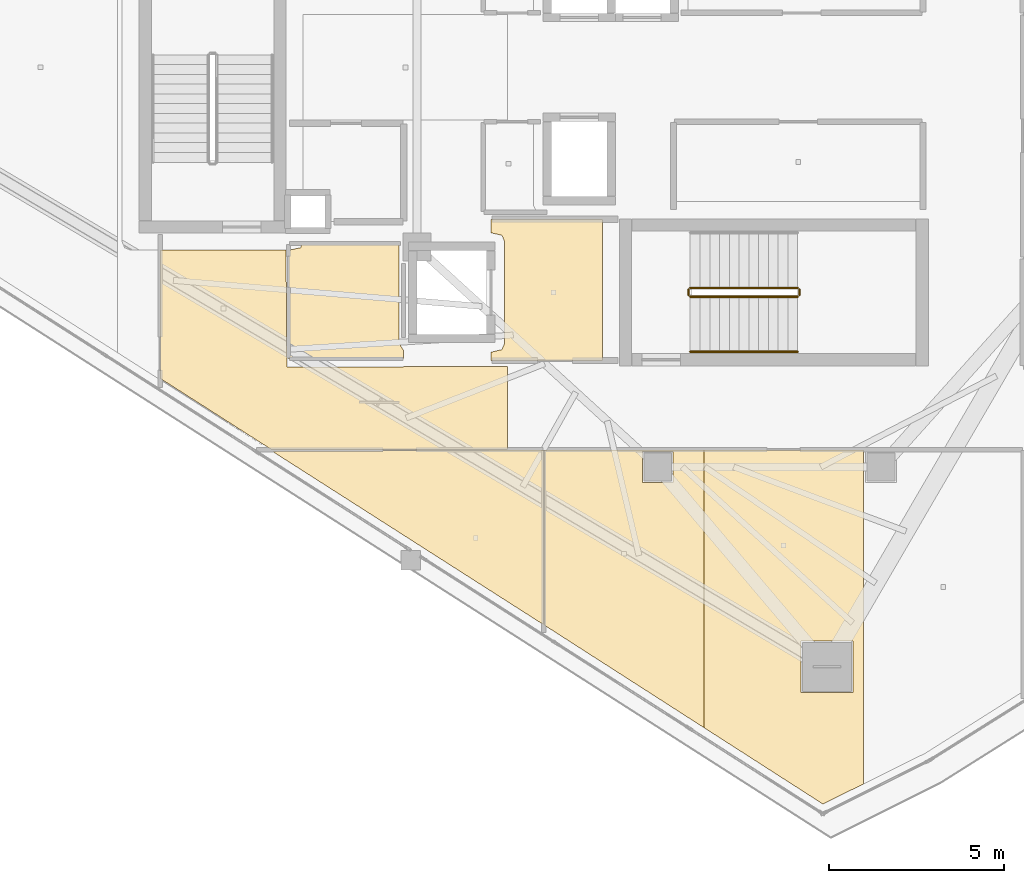
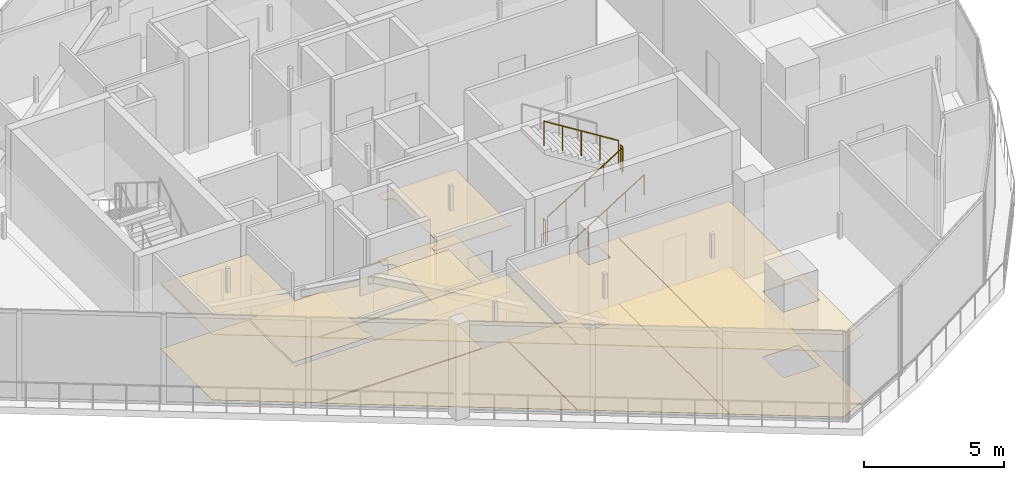
# One storey, part 21 of 25: 11 coverings, 5 railings.
"""IFC4 building model written with IfcOpenShell, lengths in metres."""

import ifcopenshell
import ifcopenshell.guid

model = None  # the IFC model being written
_history = None  # IfcOwnerHistory: only IFC2X3 demands one
_inside = {}  # id of a spatial element -> (the spatial element, [elements in it])
_under = {}  # id of a project, library or spatial element -> (it, [spatial elements below it])
_declared = {}  # id of a project -> (the project, [libraries it declares])
_typed = {}  # id of a type object -> (the type object, [elements of that type])
_made_of = {}  # id of a material, layer set ... -> (it, [elements and type objects made of it])


def new_model(schema):
    """Start an empty IFC model of exactly this schema.

    Asked for "IFC4X3", IfcOpenShell would pick the latest addendum, in which some entities
    have other attributes; the version numbers below select the first issue.
    IFC2X3 requires an IfcOwnerHistory on every rooted entity: one is made here for all.
    """
    global model, _history
    if schema == "IFC4X3":
        model = ifcopenshell.file(schema_version=(4, 3, 0, 0))
    else:
        model = ifcopenshell.file(schema=schema)
    _inside.clear()
    _under.clear()
    _declared.clear()
    _typed.clear()
    _made_of.clear()
    _history = None
    if model.schema == "IFC2X3":
        org = make("IfcOrganization", Name="unknown")
        user = make(
            "IfcPersonAndOrganization",
            ThePerson=make("IfcPerson", FamilyName="unknown"),
            TheOrganization=org,
        )
        app = make(
            "IfcApplication",
            ApplicationDeveloper=org,
            Version="unknown",
            ApplicationFullName="unknown",
            ApplicationIdentifier="unknown",
        )
        _history = make(
            "IfcOwnerHistory",
            OwningUser=user,
            OwningApplication=app,
            ChangeAction="ADDED",
            CreationDate=0,
        )
    return model


def make(cls, **values):
    """One entity of the class cls with the attributes given. An attribute that is None is left unset."""
    return model.create_entity(
        cls, **{name: value for name, value in values.items() if value is not None}
    )


def rooted(cls, **values):
    """An entity with a GlobalId (a new one), such as an element, a storey or a relation."""
    return make(cls, GlobalId=ifcopenshell.guid.new(), OwnerHistory=_history, **values)


def si_unit(unit_type, name, prefix=None):
    """IfcSIUnit, for example si_unit("LENGTHUNIT", "METRE", prefix="MILLI")."""
    return make("IfcSIUnit", UnitType=unit_type, Prefix=prefix, Name=name)


def assignment(units):
    """IfcUnitAssignment: the units of a project."""
    return None if units is None else make("IfcUnitAssignment", Units=units)


def point(xyz):
    """IfcCartesianPoint."""
    return None if xyz is None else make("IfcCartesianPoint", Coordinates=xyz)


def direction(xyz):
    """IfcDirection."""
    return None if xyz is None else make("IfcDirection", DirectionRatios=xyz)


def frame(location, z_axis=None, x_axis=None):
    """IfcAxis2Placement3D, a coordinate frame: its origin and axes. An axis left out is left unset."""
    return make(
        "IfcAxis2Placement3D",
        Location=point(location),
        Axis=direction(z_axis),
        RefDirection=direction(x_axis),
    )


def frame_2d(location, x_axis=None):
    """IfcAxis2Placement2D, a coordinate frame in the plane: its origin and x axis."""
    return make(
        "IfcAxis2Placement2D", Location=point(location), RefDirection=direction(x_axis)
    )


def origin():
    """The frame at (0, 0, 0) with its axes left unset."""
    return frame((0.0, 0.0, 0.0))


def origin_2d():
    """The frame at (0, 0) in the plane with its x axis left unset."""
    return frame_2d((0.0, 0.0))


def place(relative_to, where):
    """IfcLocalPlacement: puts the frame where relative to a parent placement (None: the world)."""
    return make(
        "IfcLocalPlacement", PlacementRelTo=relative_to, RelativePlacement=where
    )


def context(
    kind, dimensions, precision=None, world=None, true_north=None, identifier=None
):
    """IfcGeometricRepresentationContext, for example the 3D "Model" context."""
    return make(
        "IfcGeometricRepresentationContext",
        ContextIdentifier=identifier,
        ContextType=kind,
        CoordinateSpaceDimension=dimensions,
        Precision=precision,
        WorldCoordinateSystem=world,
        TrueNorth=true_north,
    )


def subcontext(parent, identifier, kind, view, scale=None):
    """IfcGeometricRepresentationSubContext, for example "Body" below "Model"."""
    return make(
        "IfcGeometricRepresentationSubContext",
        ContextIdentifier=identifier,
        ContextType=kind,
        ParentContext=parent,
        TargetScale=scale,
        TargetView=view,
    )


def project(units=None, contexts=None):
    """IfcProject with its units and contexts."""
    return rooted(
        "IfcProject",
        Name="project",
        RepresentationContexts=contexts,
        UnitsInContext=assignment(units),
    )


def spatial(cls, under=None, at=None, **own):
    """A site, building, storey or space (cls), placed at a placement, below another one or the project."""
    s = rooted(cls, ObjectPlacement=at, **own)
    if under is not None:
        _under.setdefault(under.id(), (under, []))[1].append(s)
    return s


def polyline(points):
    """IfcPolyline through the points."""
    return make("IfcPolyline", Points=[point(p) for p in points])


def profile(cls, at=None, kind="AREA", **sizes):
    """A parametric profile (cls). Its sizes go by their IFC names, for example OverallWidth=200.0."""
    return make(cls, ProfileType=kind, Position=at, **sizes)


def circle(**sizes):
    """IfcCircleProfileDef."""
    return profile("IfcCircleProfileDef", **sizes)


def outline(outer, holes=None, kind="AREA"):
    """IfcArbitraryClosedProfileDef: a profile drawn as a closed curve; with holes, ...WithVoids."""
    if holes is None:
        return make("IfcArbitraryClosedProfileDef", ProfileType=kind, OuterCurve=outer)
    return make(
        "IfcArbitraryProfileDefWithVoids",
        ProfileType=kind,
        OuterCurve=outer,
        InnerCurves=holes,
    )


def extrude(swept, where, along, depth):
    """IfcExtrudedAreaSolid: the profile swept, set in the frame where, extruded along a direction by depth."""
    return make(
        "IfcExtrudedAreaSolid",
        SweptArea=swept,
        Position=where,
        ExtrudedDirection=direction(along),
        Depth=depth,
    )


def shape(context_of_items, identifier, shape_type, items):
    """IfcShapeRepresentation: the items that make up one representation, for example the "Body"."""
    return make(
        "IfcShapeRepresentation",
        ContextOfItems=context_of_items,
        RepresentationIdentifier=identifier,
        RepresentationType=shape_type,
        Items=items,
    )


def material(Name=None, Category=None):
    """IfcMaterial."""
    return make("IfcMaterial", Name=Name, Category=Category)


def layer(
    of_material, thickness, ventilated=None, Name=None, Category=None, Priority=None
):
    """IfcMaterialLayer: one layer of a wall or slab, of a material (None: an air gap)."""
    return make(
        "IfcMaterialLayer",
        Material=of_material,
        LayerThickness=thickness,
        IsVentilated=ventilated,
        Name=Name,
        Category=Category,
        Priority=Priority,
    )


def layer_set(layers, Name=None):
    """IfcMaterialLayerSet."""
    return make("IfcMaterialLayerSet", MaterialLayers=layers, LayerSetName=Name)


def made_of(thing, what):
    """Note that an element or type object is made of a material, layer set ...; save() writes the relation."""
    if what is not None:
        _made_of.setdefault(what.id(), (what, []))[1].append(thing)
    return thing


def type_object(cls, material=None, **own):
    """A type object (cls), such as IfcWallType, which elements share."""
    return made_of(rooted(cls, **own), material)


def element(
    cls,
    number,
    at=None,
    inside=None,
    cuts=None,
    type_object=None,
    material=None,
    context=None,
    identifier="Body",
    shape_type=None,
    held_by="IfcProductDefinitionShape",
    body=None,
    shapes=None,
    **own,
):
    """One element of the class cls, such as IfcWall. Its Tag is "e" and its number.

    at: its placement. inside: the storey or other place that contains it. cuts: it is an
    opening in that element (IfcRelVoidsElement). A single representation is given by context,
    identifier, shape_type and body (its items); several are given by shapes. held_by: the class
    of the entity that holds the representations. save() writes the other relations.
    """
    e = rooted(cls, Tag="e%d" % number, ObjectPlacement=at, **own)
    if body is not None:
        shapes = [shape(context, identifier, shape_type, body)]
    if shapes is not None:
        e.Representation = make(held_by, Representations=shapes)
    if inside is not None:
        _inside.setdefault(inside.id(), (inside, []))[1].append(e)
    if cuts is not None:
        rooted(
            "IfcRelVoidsElement", RelatingBuildingElement=cuts, RelatedOpeningElement=e
        )
    if type_object is not None:
        _typed.setdefault(type_object.id(), (type_object, []))[1].append(e)
    return made_of(e, material)


def aggregate(whole, parts):
    """IfcRelAggregates: a whole, such as a stair, and the parts it consists of."""
    return rooted("IfcRelAggregates", RelatingObject=whole, RelatedObjects=parts)


def save(model, path):
    """Write the relations noted so far, then the file.

    IfcRelAggregates (storeys below a building ...), IfcRelContainedInSpatialStructure (elements
    in a storey), IfcRelDefinesByType, IfcRelAssociatesMaterial and IfcRelDeclares: one each for
    every whole, place, type object, material and project.
    """
    for whole, parts in _under.values():
        aggregate(whole, parts)
    for where, things in _inside.values():
        rooted(
            "IfcRelContainedInSpatialStructure",
            RelatedElements=things,
            RelatingStructure=where,
        )
    for kind, things in _typed.values():
        rooted("IfcRelDefinesByType", RelatedObjects=things, RelatingType=kind)
    for what, things in _made_of.values():
        rooted("IfcRelAssociatesMaterial", RelatedObjects=things, RelatingMaterial=what)
    for by, libraries in _declared.values():
        rooted("IfcRelDeclares", RelatingContext=by, RelatedDefinitions=libraries)
    model.write(path)


model = new_model("IFC4")

# Units and contexts
model_context = context("Model", 3, precision=1e-05, world=origin(), true_north=direction((0.0, 1.0)))
body_context = subcontext(model_context, "Body", "Model", "MODEL_VIEW")
ifc_project = project(units=[si_unit("LENGTHUNIT", "METRE"), si_unit("AREAUNIT", "SQUARE_METRE"), si_unit("VOLUMEUNIT", "CUBIC_METRE"), si_unit("PLANEANGLEUNIT", "RADIAN"), si_unit("MASSUNIT", "GRAM", prefix="KILO")], contexts=[model_context])

# Site, building, storey
site_placement = place(None, origin())
site = spatial("IfcSite", under=ifc_project, at=site_placement, CompositionType="ELEMENT")
building_placement = place(site_placement, origin())
building = spatial("IfcBuilding", under=site, at=building_placement, Name="Qorvath Tower", CompositionType="ELEMENT")
storey_placement = place(building_placement, frame((0.0, 0.0, 314.39990234375)))
storey = spatial("IfcBuildingStorey", under=building, at=storey_placement, Name="L73", CompositionType="ELEMENT", Elevation=314.39990234375)

# Coverings
ifc_material_1 = material(Name="Acoustic mineral fibre ceiling tile", Category="gypsum")
ifc_layer_1 = layer(ifc_material_1, 0.030029296875)
ifc_layer_set_1 = layer_set([ifc_layer_1], Name="COV-CEIL")
covering_type_1 = type_object("IfcCoveringType", Name="COV-CEIL", PredefinedType="CEILING", material=ifc_layer_set_1)
covering_1_placement = place(storey_placement, frame((0.0, 0.0, 2.85009765625)))
element("IfcCovering", 1, at=covering_1_placement, inside=storey, type_object=covering_type_1, Name="L73 Suspended Acoustic Ceiling 002", PredefinedType="CEILING", context=body_context, shape_type="SweptSolid", body=[
    extrude(outline(polyline([(-25.18994140625, -8.39501953125), (-25.18994140625, -4.35498046875), (-28.375, -4.35498046875), (-28.375, -4.739990234375), (-28.063232421875, -4.813232421875), (-27.989990234375, -4.989990234375), (-27.989990234375, -7.909912109375), (-28.063232421875, -8.086669921875), (-28.375, -8.159912109375), (-28.375, -8.39501953125), (-25.18994140625, -8.39501953125)])), origin(), (0.0, 0.0, 1.0), 0.030029296875),
])
covering_2_placement = place(storey_placement, frame((0.0, 0.0, 2.85009765625)))
element("IfcCovering", 2, at=covering_2_placement, inside=storey, type_object=covering_type_1, Name="L73 Suspended Acoustic Ceiling 011", PredefinedType="CEILING", context=body_context, shape_type="SweptSolid", body=[
    extrude(outline(polyline([(-34.22509765625, -8.580078125), (-34.251220703125, -5.239990234375), (-37.844970703125, -5.239990234375), (-37.844970703125, -8.918701171875), (-34.6748046875, -10.945068359375), (-27.8984375, -10.945068359375), (-27.8984375, -8.575927734375), (-34.22509765625, -8.580078125)])), origin(), (0.0, 0.0, 1.0), 0.030029296875),
])
covering_3_placement = place(storey_placement, frame((0.0, 0.0, 2.85009765625)))
element("IfcCovering", 3, at=covering_3_placement, inside=storey, type_object=covering_type_1, Name="L73 Suspended Acoustic Ceiling 018", PredefinedType="CEILING", context=body_context, shape_type="SweptSolid", body=[
    extrude(outline(polyline([(-26.869873046875, -15.968994140625), (-26.869873046875, -10.962890625), (-34.64501953125, -10.99951171875), (-26.869873046875, -15.968994140625)])), origin(), (0.0, 0.0, 1.0), 0.030029296875),
])
covering_4_placement = place(storey_placement, frame((0.0, 0.0, 2.85009765625)))
element("IfcCovering", 4, at=covering_4_placement, inside=storey, type_object=covering_type_1, Name="L73 Suspended Acoustic Ceiling 019", PredefinedType="CEILING", context=body_context, shape_type="SweptSolid", body=[
    extrude(outline(polyline([(-22.279541015625, -18.916259765625), (-22.279541015625, -10.962890625), (-26.851806640625, -10.962890625), (-26.851806640625, -15.98046875), (-22.279541015625, -18.916259765625)]), holes=[polyline([(-24.04248046875, -11.892333984375), (-24.04248046875, -11.007568359375), (-23.157470703125, -11.007568359375), (-23.157470703125, -11.892333984375), (-24.04248046875, -11.892333984375)])]), origin(), (0.0, 0.0, 1.0), 0.030029296875),
])
covering_5_placement = place(storey_placement, frame((0.0, 0.0, 2.85009765625)))
element("IfcCovering", 5, at=covering_5_placement, inside=storey, type_object=covering_type_1, Name="L73 Suspended Acoustic Ceiling 020", PredefinedType="CEILING", context=body_context, shape_type="SweptSolid", body=[
    extrude(outline(polyline([(-18.86767578125, -21.107177734375), (-17.707275390625, -20.53125), (-17.707275390625, -10.962890625), (-22.279541015625, -10.962890625), (-22.279541015625, -18.916259765625), (-18.86767578125, -21.107177734375)]), holes=[polyline([(-19.492919921875, -17.91796875), (-19.492919921875, -16.43310546875), (-18.008056640625, -16.43310546875), (-18.008056640625, -17.91796875), (-19.492919921875, -17.91796875)])]), origin(), (0.0, 0.0, 1.0), 0.030029296875),
])
ifc_material_2 = material(Name="Low-VOC modular carpet tile", Category="textile")
ifc_layer_2 = layer(ifc_material_2, 0.014892578125)
ifc_layer_set_2 = layer_set([ifc_layer_2], Name="COV-FLOOR-CPT")
covering_type_2 = type_object("IfcCoveringType", Name="COV-FLOOR-CPT", PredefinedType="FLOORING", material=ifc_layer_set_2)
covering_6_placement = place(storey_placement, origin())
element("IfcCovering", 6, at=covering_6_placement, inside=storey, type_object=covering_type_2, Name="L73 Floor Finish 018", PredefinedType="FLOORING", context=body_context, shape_type="SweptSolid", body=[
    extrude(outline(polyline([(-26.869873046875, -15.968994140625), (-26.869873046875, -10.962890625), (-34.64501953125, -10.99951171875), (-26.869873046875, -15.968994140625)])), origin(), (0.0, 0.0, 1.0), 0.01513671875),
])
covering_7_placement = place(storey_placement, origin())
element("IfcCovering", 7, at=covering_7_placement, inside=storey, type_object=covering_type_2, Name="L73 Floor Finish 019", PredefinedType="FLOORING", context=body_context, shape_type="SweptSolid", body=[
    extrude(outline(polyline([(-22.279541015625, -18.916259765625), (-22.279541015625, -10.962890625), (-26.851806640625, -10.962890625), (-26.851806640625, -15.98046875), (-22.279541015625, -18.916259765625)]), holes=[polyline([(-24.04248046875, -11.892333984375), (-24.04248046875, -11.007568359375), (-23.157470703125, -11.007568359375), (-23.157470703125, -11.892333984375), (-24.04248046875, -11.892333984375)])]), origin(), (0.0, 0.0, 1.0), 0.01513671875),
])
covering_8_placement = place(storey_placement, origin())
element("IfcCovering", 8, at=covering_8_placement, inside=storey, type_object=covering_type_2, Name="L73 Floor Finish 020", PredefinedType="FLOORING", context=body_context, shape_type="SweptSolid", body=[
    extrude(outline(polyline([(-18.86767578125, -21.107177734375), (-17.707275390625, -20.53125), (-17.707275390625, -10.962890625), (-22.279541015625, -10.962890625), (-22.279541015625, -18.916259765625), (-18.86767578125, -21.107177734375)]), holes=[polyline([(-19.492919921875, -17.91796875), (-19.492919921875, -16.43310546875), (-18.008056640625, -16.43310546875), (-18.008056640625, -17.91796875), (-19.492919921875, -17.91796875)])]), origin(), (0.0, 0.0, 1.0), 0.01513671875),
])
ifc_material_3 = material(Name="Polished epoxy terrazzo flooring", Category="concrete")
ifc_layer_3 = layer(ifc_material_3, 0.02001953125)
ifc_layer_set_3 = layer_set([ifc_layer_3], Name="COV-FLOOR-TRZ")
covering_type_3 = type_object("IfcCoveringType", Name="COV-FLOOR-TRZ", PredefinedType="FLOORING", material=ifc_layer_set_3)
covering_9_placement = place(storey_placement, origin())
element("IfcCovering", 9, at=covering_9_placement, inside=storey, type_object=covering_type_3, Name="L73 Floor Finish 002", PredefinedType="FLOORING", context=body_context, shape_type="SweptSolid", body=[
    extrude(outline(polyline([(-25.18994140625, -8.39501953125), (-25.18994140625, -4.35498046875), (-28.375, -4.35498046875), (-28.375, -4.739990234375), (-28.063232421875, -4.813232421875), (-27.989990234375, -4.989990234375), (-27.989990234375, -7.909912109375), (-28.063232421875, -8.086669921875), (-28.375, -8.159912109375), (-28.375, -8.39501953125), (-25.18994140625, -8.39501953125)])), origin(), (0.0, 0.0, 1.0), 0.01513671875),
])
covering_10_placement = place(storey_placement, origin())
element("IfcCovering", 10, at=covering_10_placement, inside=storey, type_object=covering_type_3, Name="L73 Floor Finish 008", PredefinedType="FLOORING", context=body_context, shape_type="SweptSolid", body=[
    extrude(outline(polyline([(-30.885009765625, -8.108154296875), (-31.010009765625, -7.909912109375), (-31.010009765625, -5.054931640625), (-33.786865234375, -5.054931640625), (-33.833251953125, -5.166748046875), (-34.175048828125, -5.239990234375), (-34.175048828125, -8.344970703125), (-30.885009765625, -8.344970703125), (-30.885009765625, -8.108154296875)])), origin(), (0.0, 0.0, 1.0), 0.01513671875),
])
covering_11_placement = place(storey_placement, origin())
element("IfcCovering", 11, at=covering_11_placement, inside=storey, type_object=covering_type_3, Name="L73 Floor Finish 011", PredefinedType="FLOORING", context=body_context, shape_type="SweptSolid", body=[
    extrude(outline(polyline([(-34.22509765625, -8.580078125), (-34.251220703125, -5.239990234375), (-37.844970703125, -5.239990234375), (-37.844970703125, -8.918701171875), (-34.6748046875, -10.945068359375), (-27.8984375, -10.945068359375), (-27.8984375, -8.575927734375), (-34.22509765625, -8.580078125)])), origin(), (0.0, 0.0, 1.0), 0.01513671875),
])

# Railings
ifc_material_4 = material(Name="Painted galvanised steel", Category="steel")
railing_type_1 = type_object("IfcRailingType", Name="RL-STR-GRD", PredefinedType="GUARDRAIL", material=ifc_material_4)
railing_1_placement = place(storey_placement, frame((-22.669921875, -6.570068359375, 0.175048828125)))
element("IfcRailing", 12, at=railing_1_placement, inside=storey, type_object=railing_type_1, Name="L73 TS2 stair guard 1", PredefinedType="GUARDRAIL", context=body_context, shape_type="SweptSolid", body=[
    extrude(circle(Radius=0.02392578125, at=origin_2d()), frame((0.0, 0.0, 1.076171875), z_axis=(0.847979421464, 0.0, 0.530029150871), x_axis=(0.0, 1.0, 0.0)), (0.0, 0.0, 1.0), 3.632080078125),
    extrude(circle(Radius=0.02099609375, at=origin_2d()), origin(), (0.0, 0.0, 1.0), 1.052001953125),
    extrude(circle(Radius=0.02099609375, at=origin_2d()), frame((0.77001953125, 0.0, 0.481201171875)), (0.0, 0.0, 1.0), 1.052001953125),
    extrude(circle(Radius=0.02099609375, at=origin_2d()), frame((1.5400390625, 0.0, 0.96240234375)), (0.0, 0.0, 1.0), 1.052001953125),
    extrude(circle(Radius=0.02099609375, at=origin_2d()), frame((2.309814453125, 0.0, 1.44384765625)), (0.0, 0.0, 1.0), 1.052001953125),
    extrude(circle(Radius=0.02099609375, at=origin_2d()), frame((3.079833984375, 0.0, 1.925048828125)), (0.0, 0.0, 1.0), 1.052001953125),
])
railing_2_placement = place(storey_placement, frame((-19.5400390625, -6.52001953125, 2.10009765625)))
element("IfcRailing", 13, at=railing_2_placement, inside=storey, type_object=railing_type_1, Name="L73 TS2 stair guard 2", PredefinedType="GUARDRAIL", context=body_context, shape_type="SweptSolid", body=[
    extrude(circle(Radius=0.02392578125, at=origin_2d()), frame((0.0, 0.0, 1.076171875), z_axis=(0.0, 1.0, 0.0), x_axis=(-1.0, 0.0, 0.0)), (0.0, 0.0, 1.0), 0.14990234375),
    extrude(circle(Radius=0.02099609375, at=origin_2d()), origin(), (0.0, 0.0, 1.0), 1.052001953125),
    extrude(circle(Radius=0.02099609375, at=origin_2d()), frame((0.0, 0.14990234375, 0.0)), (0.0, 0.0, 1.0), 1.052001953125),
])
railing_3_placement = place(storey_placement, frame((-19.590087890625, -6.320068359375, 2.275146484375)))
element("IfcRailing", 14, at=railing_3_placement, inside=storey, type_object=railing_type_1, Name="L73 TS2 stair guard 3", PredefinedType="GUARDRAIL", context=body_context, shape_type="SweptSolid", body=[
    extrude(circle(Radius=0.02392578125, at=origin_2d()), frame((0.0, 0.0, 1.076171875), z_axis=(-0.847979421464, 0.0, 0.530029150871), x_axis=(0.0, -1.0, 0.0)), (0.0, 0.0, 1.0), 3.632080078125),
    extrude(circle(Radius=0.02099609375, at=origin_2d()), origin(), (0.0, 0.0, 1.0), 1.052001953125),
    extrude(circle(Radius=0.02099609375, at=origin_2d()), frame((-0.77001953125, 0.0, 0.481201171875)), (0.0, 0.0, 1.0), 1.052001953125),
    extrude(circle(Radius=0.02099609375, at=origin_2d()), frame((-1.5400390625, 0.0, 0.96240234375)), (0.0, 0.0, 1.0), 1.052001953125),
    extrude(circle(Radius=0.02099609375, at=origin_2d()), frame((-2.309814453125, 0.0, 1.44384765625)), (0.0, 0.0, 1.0), 1.052001953125),
    extrude(circle(Radius=0.02099609375, at=origin_2d()), frame((-3.079833984375, 0.0, 1.925048828125)), (0.0, 0.0, 1.0), 1.052001953125),
])
railing_4_placement = place(storey_placement, frame((-22.719970703125, -6.52001953125, 0.0)))
element("IfcRailing", 15, at=railing_4_placement, inside=storey, type_object=railing_type_1, Name="L73 TS2 stair guard 4", PredefinedType="GUARDRAIL", context=body_context, shape_type="SweptSolid", body=[
    extrude(circle(Radius=0.02392578125, at=origin_2d()), frame((0.0, 0.0, 1.076171875), z_axis=(0.0, 1.0, 0.0), x_axis=(-1.0, 0.0, 0.0)), (0.0, 0.0, 1.0), 0.14990234375),
    extrude(circle(Radius=0.02099609375, at=origin_2d()), origin(), (0.0, 0.0, 1.0), 1.052001953125),
    extrude(circle(Radius=0.02099609375, at=origin_2d()), frame((0.0, 0.14990234375, 0.0)), (0.0, 0.0, 1.0), 1.052001953125),
])
ifc_material_5 = material(Name="Brushed stainless steel AISI 304", Category="steel")
railing_type_2 = type_object("IfcRailingType", Name="RL-STR-HND", PredefinedType="HANDRAIL", material=ifc_material_5)
railing_5_placement = place(storey_placement, frame((-22.669921875, -8.14990234375, 0.175048828125)))
element("IfcRailing", 16, at=railing_5_placement, inside=storey, type_object=railing_type_2, Name="L73 TS2 stair handrail 1", PredefinedType="HANDRAIL", context=body_context, shape_type="SweptSolid", body=[
    extrude(circle(Radius=0.02392578125, at=origin_2d()), frame((0.0, 0.0, 0.8759765625), z_axis=(0.847979421464, 0.0, 0.530029150871), x_axis=(0.0, 1.0, 0.0)), (0.0, 0.0, 1.0), 3.632080078125),
    extrude(circle(Radius=0.02099609375, at=origin_2d()), origin(), (0.0, 0.0, 1.0), 0.851806640625),
    extrude(circle(Radius=0.02099609375, at=origin_2d()), frame((0.77001953125, 0.0, 0.481201171875)), (0.0, 0.0, 1.0), 0.851806640625),
    extrude(circle(Radius=0.02099609375, at=origin_2d()), frame((1.5400390625, 0.0, 0.96240234375)), (0.0, 0.0, 1.0), 0.851806640625),
    extrude(circle(Radius=0.02099609375, at=origin_2d()), frame((2.309814453125, 0.0, 1.44384765625)), (0.0, 0.0, 1.0), 0.851806640625),
    extrude(circle(Radius=0.02099609375, at=origin_2d()), frame((3.079833984375, 0.0, 1.925048828125)), (0.0, 0.0, 1.0), 0.851806640625),
])

save(model, "model.ifc")
